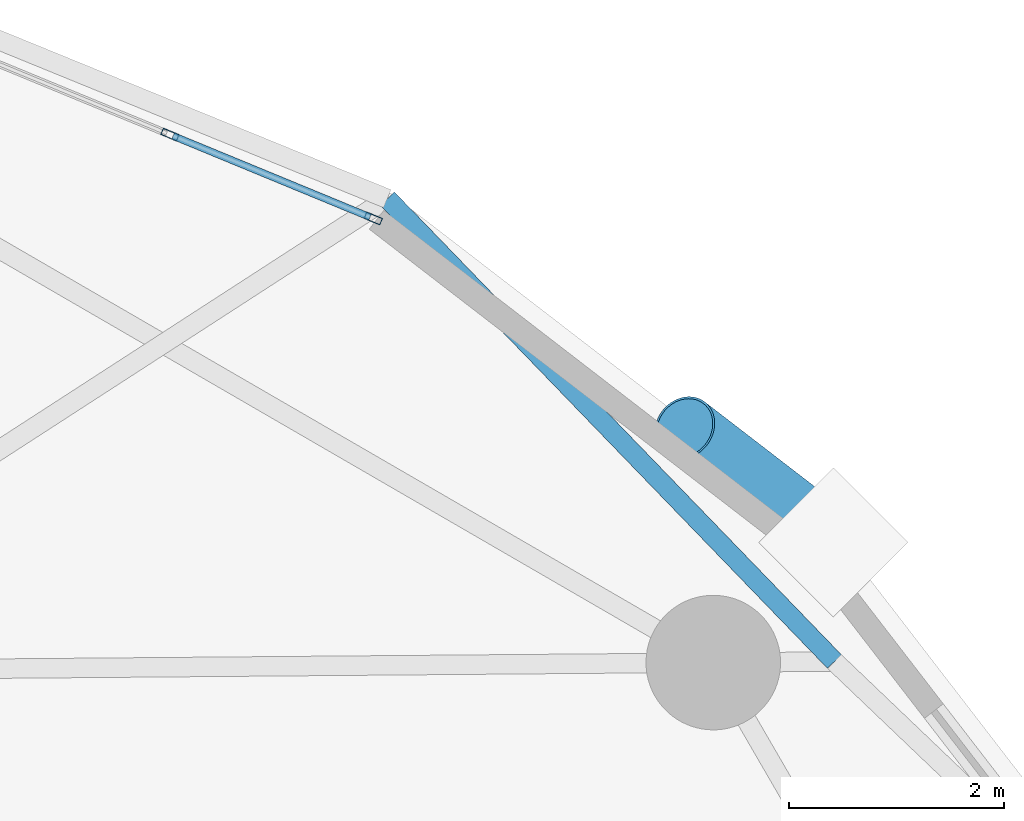
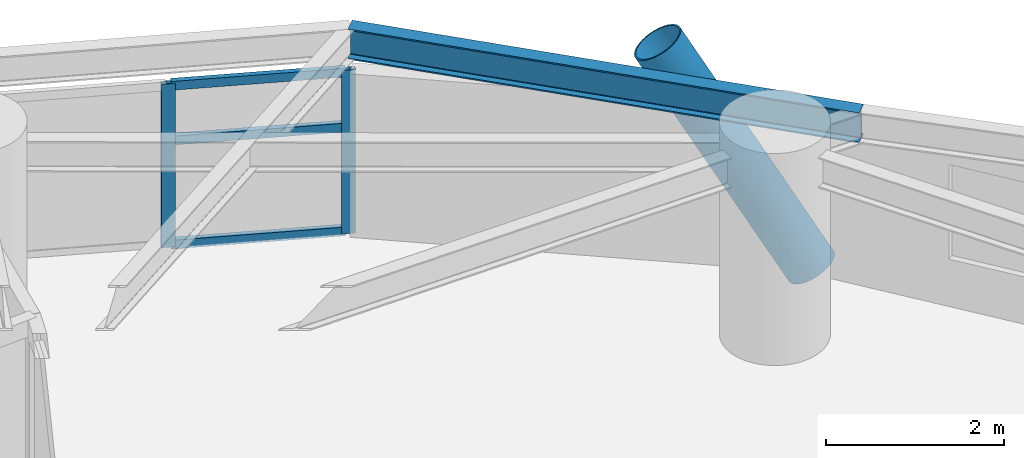
# One storey, part 5 of 18: 6 members, 1 beam, 1 element without a shape of its own.
"""IFC4 building model written with IfcOpenShell, lengths in metres."""

from ifc_helpers import new_model, si_unit, direction, frame, origin, origin_2d, place, context, subcontext, project, spatial, hollow_rectangle, hollow_circle, i_section, extrude, material, layer, layer_set, material_profile, profile_set, type_object, element, aggregate, save


model = new_model("IFC4")

# Units and contexts
model_context = context("Model", 3, precision=1e-05, world=origin(), true_north=direction((0.0, 1.0)))
body_context = subcontext(model_context, "Body", "Model", "MODEL_VIEW")
ifc_project = project(units=[si_unit("LENGTHUNIT", "METRE"), si_unit("AREAUNIT", "SQUARE_METRE"), si_unit("VOLUMEUNIT", "CUBIC_METRE"), si_unit("PLANEANGLEUNIT", "RADIAN"), si_unit("MASSUNIT", "GRAM", prefix="KILO")], contexts=[model_context])

# Site, building, storey
site_placement = place(None, origin())
site = spatial("IfcSite", under=ifc_project, at=site_placement, CompositionType="ELEMENT")
building_placement = place(site_placement, origin())
building = spatial("IfcBuilding", under=site, at=building_placement, Name="Cununo Teusaquillo Station Towers", CompositionType="ELEMENT")
storey_placement = place(building_placement, frame((0.0, 0.0, 169.06005859375)))
storey = spatial("IfcBuildingStorey", under=building, at=storey_placement, Name="L53", CompositionType="ELEMENT", Elevation=169.06005859375)

# Beam
ifc_material_1 = material(Name="Steel ASTM A572 Grade 50", Category="steel")
ifc_material_profile_1 = material_profile(ifc_material_1, i_section(OverallWidth=0.180908203125, OverallDepth=0.4169921875, WebThickness=0.010986328125, FlangeThickness=0.018310546875, FilletRadius=0.012939453125, at=origin_2d()), Name="W16X57")
ifc_profile_set_1 = profile_set([ifc_material_profile_1], Name="Steel ASTM A572 Grade 50")
beam_type = type_object("IfcBeamType", Name="BM-RING-Z3", PredefinedType="SPANDREL", material=ifc_profile_set_1)
beam_placement = place(storey_placement, frame((67.232666015625, 33.116455078125, 2.4814453125), z_axis=(-0.694791256552, 0.719211450005, 0.0), x_axis=(-0.719211450005, -0.694791256552, 0.0)))
element("IfcBeam", 1, at=beam_placement, inside=storey, type_object=beam_type, Name="L53 Tower B Spandrel Ring Beam 01", PredefinedType="SPANDREL", context=body_context, shape_type="SweptSolid", body=[
    extrude(i_section(OverallWidth=0.180908203125, OverallDepth=0.4169921875, WebThickness=0.010986328125, FlangeThickness=0.018310546875, FilletRadius=0.012939453125, at=origin_2d()), origin(), (0.0, 0.0, 1.0), 5.978515625),
])

# Curtain wall, members
ifc_material_2 = material(Name="Operable acoustic tinted low-E double glazing", Category="glass")
ifc_layer = layer(ifc_material_2, 0.179931640625)
ifc_layer_set = layer_set([ifc_layer], Name="Operable acoustic tinted low-E double glazing")
curtain_wall_type = type_object("IfcCurtainWallType", Name="CW-SYS-06", PredefinedType="USERDEFINED", material=ifc_layer_set)
curtain_wall_placement = place(storey_placement, origin())
curtain_wall = element("IfcCurtainWall", 2, at=curtain_wall_placement, inside=storey, type_object=curtain_wall_type, Name="L53 Tower B Facade Curtain Wall C01", ObjectType="OPERABLE GLAZING", PredefinedType="USERDEFINED")
ifc_material_3 = material(Name="Anodised dark bronze aluminium EN AW-6063-T6", Category="aluminium")
ifc_material_profile_2 = material_profile(ifc_material_3, hollow_rectangle(XDim=0.06494140625, YDim=0.159912109375, WallThickness=0.00390625, at=origin_2d()), Name="CW-MULL-65x160")
ifc_profile_set_2 = profile_set([ifc_material_profile_2], Name="Anodised dark bronze aluminium EN AW-6063-T6")
member_type_1 = type_object("IfcMemberType", Name="CWM-160", PredefinedType="MULLION", material=ifc_profile_set_2)
member_1_placement = place(storey_placement, frame((61.05908203125, 38.011962890625, 0.0), z_axis=(0.0, 0.0, 1.0), x_axis=(0.381229322376, 0.924480504803, 0.0)))
member_1 = element("IfcMember", 3, at=member_1_placement, type_object=member_type_1, Name="CW-06 mullion 2", PredefinedType="MULLION", context=body_context, shape_type="SweptSolid", body=[
    extrude(hollow_rectangle(XDim=0.06494140625, YDim=0.159912109375, WallThickness=0.00390625, at=origin_2d()), origin(), (0.0, 0.0, 1.0), 2.244873046875),
])
member_2_placement = place(storey_placement, frame((62.948974609375, 37.232666015625, 0.0), z_axis=(0.0, 0.0, 1.0), x_axis=(0.381229322376, 0.924480504803, 0.0)))
member_2 = element("IfcMember", 4, at=member_2_placement, type_object=member_type_1, Name="CW-06 mullion 3", PredefinedType="MULLION", context=body_context, shape_type="SweptSolid", body=[
    extrude(hollow_rectangle(XDim=0.06494140625, YDim=0.159912109375, WallThickness=0.00390625, at=origin_2d()), origin(), (0.0, 0.0, 1.0), 2.244873046875),
])
ifc_material_4 = material(Name="Anodised dark bronze aluminium EN AW-6063-T6", Category="aluminium")
ifc_material_profile_3 = material_profile(ifc_material_4, hollow_rectangle(XDim=0.06494140625, YDim=0.1201171875, WallThickness=0.00390625, at=origin_2d()), Name="CW-TRAN-65x120")
ifc_profile_set_3 = profile_set([ifc_material_profile_3], Name="Anodised dark bronze aluminium EN AW-6063-T6")
member_type_2 = type_object("IfcMemberType", Name="CWT-120", PredefinedType="USERDEFINED", material=ifc_profile_set_3)
member_3_placement = place(storey_placement, frame((61.089111328125, 37.99951171875, 0.032470703125), z_axis=(0.924450559311, -0.381301932056, 0.0), x_axis=(0.381301932056, 0.924450559311, 0.0)))
member_3 = element("IfcMember", 5, at=member_3_placement, type_object=member_type_2, Name="CW-06 transom 2.1", ObjectType="TRANSOM", PredefinedType="USERDEFINED", context=body_context, shape_type="SweptSolid", body=[
    extrude(hollow_rectangle(XDim=0.06494140625, YDim=0.1201171875, WallThickness=0.00390625, at=origin_2d()), origin(), (0.0, 0.0, 1.0), 1.97900390625),
])
member_4_placement = place(storey_placement, frame((61.089111328125, 37.99951171875, 1.458984375), z_axis=(0.924450559311, -0.381301932056, 0.0), x_axis=(0.381301932056, 0.924450559311, 0.0)))
member_4 = element("IfcMember", 6, at=member_4_placement, type_object=member_type_2, Name="CW-06 transom 2.2", ObjectType="TRANSOM", PredefinedType="USERDEFINED", context=body_context, shape_type="SweptSolid", body=[
    extrude(hollow_rectangle(XDim=0.06494140625, YDim=0.1201171875, WallThickness=0.00390625, at=origin_2d()), origin(), (0.0, 0.0, 1.0), 1.97900390625),
])
member_5_placement = place(storey_placement, frame((61.089111328125, 37.99951171875, 2.21240234375), z_axis=(0.924450559311, -0.381301932056, 0.0), x_axis=(0.381301932056, 0.924450559311, 0.0)))
member_5 = element("IfcMember", 7, at=member_5_placement, type_object=member_type_2, Name="CW-06 transom 2.3", ObjectType="TRANSOM", PredefinedType="USERDEFINED", context=body_context, shape_type="SweptSolid", body=[
    extrude(hollow_rectangle(XDim=0.06494140625, YDim=0.1201171875, WallThickness=0.00390625, at=origin_2d()), origin(), (0.0, 0.0, 1.0), 1.97900390625),
])
aggregate(curtain_wall, [member_1, member_2, member_3, member_4, member_5])

# Member
ifc_material_5 = material(Name="Steel EN 10025-2 S355J2", Category="steel")
ifc_material_profile_4 = material_profile(ifc_material_5, hollow_circle(Radius=0.304931640625, WallThickness=0.02001953125, at=origin_2d()), Name="CHS 610x20")
ifc_profile_set_4 = profile_set([ifc_material_profile_4], Name="Steel EN 10025-2 S355J2")
member_type_3 = type_object("IfcMemberType", Name="MBR-DIAG-Z3", PredefinedType="BRACE", material=ifc_profile_set_4)
member_6_placement = place(storey_placement, frame((67.223388671875, 34.223388671875, -0.14013671875), z_axis=(-0.407226053583, 0.313677039683, 0.857772496679), x_axis=(-0.610231571438, -0.792223093087, 0.0)))
element("IfcMember", 8, at=member_6_placement, inside=storey, type_object=member_type_3, Name="L53 Tower B Folded-Zigzag Diagrid Tube C00", PredefinedType="BRACE", context=body_context, shape_type="SweptSolid", body=[
    extrude(hollow_circle(Radius=0.304931640625, WallThickness=0.02001953125, at=origin_2d()), origin(), (0.0, 0.0, 1.0), 3.392578125),
])

save(model, "model.ifc")
